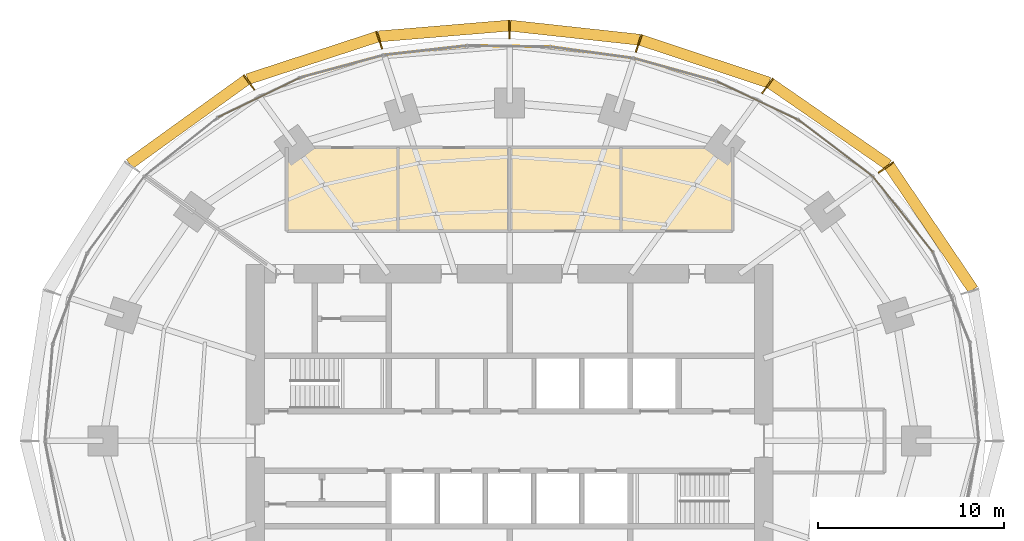
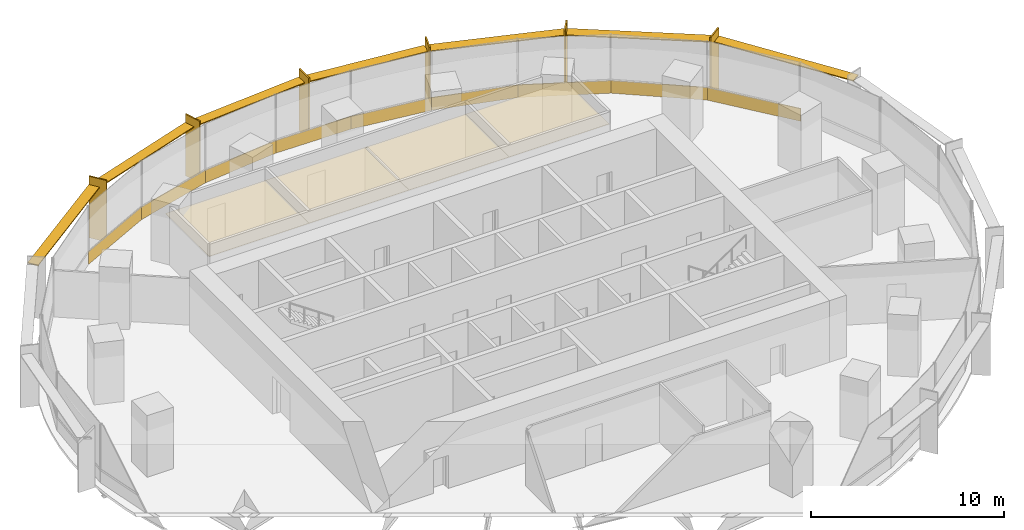
# One storey, part 14 of 14: 13 coverings, 13 shading devices.
"""IFC4 building model written with IfcOpenShell, lengths in metres."""

from ifc_helpers import new_model, si_unit, direction, frame, origin, origin_2d, place, context, subcontext, project, spatial, polyline, rectangle, outline, extrude, material, layer, layer_set, type_object, element, save


model = new_model("IFC4")

# Units and contexts
model_context = context("Model", 3, precision=1e-05, world=origin(), true_north=direction((0.0, 1.0)))
body_context = subcontext(model_context, "Body", "Model", "MODEL_VIEW")
ifc_project = project(units=[si_unit("LENGTHUNIT", "METRE"), si_unit("AREAUNIT", "SQUARE_METRE"), si_unit("VOLUMEUNIT", "CUBIC_METRE"), si_unit("PLANEANGLEUNIT", "RADIAN"), si_unit("MASSUNIT", "GRAM", prefix="KILO")], contexts=[model_context])

# Site, building, storey
site_placement = place(None, origin())
site = spatial("IfcSite", under=ifc_project, at=site_placement, CompositionType="ELEMENT")
building_placement = place(site_placement, origin())
building = spatial("IfcBuilding", under=site, at=building_placement, Name="Marramba Exchange Tower", CompositionType="ELEMENT")
storey_placement = place(building_placement, frame((0.0, 0.0, 154.800048828125)))
storey = spatial("IfcBuildingStorey", under=building, at=storey_placement, Name="L37", CompositionType="ELEMENT", Elevation=154.800048828125)

# Shading devices
ifc_material_1 = material(Name="Aluminium blade, timber-look bronze finish", Category="wood")
ifc_layer_1 = layer(ifc_material_1, 0.080078125)
ifc_layer_set_1 = layer_set([ifc_layer_1], Name="Floor-edge blade 1000x80")
shading_device_type_1 = type_object("IfcShadingDeviceType", Name="Floor-edge blade 1000x80", PredefinedType="USERDEFINED", material=ifc_layer_set_1)
for number, where, z_axis, x_axis, name in (
    (1, (20.27392578125, 14.72998046875, -0.159912109375), (0.0, 0.0, 1.0), (0.809016994375, 0.587785252292, 0.0), "Floor-edge blade FB1 L37 TC03"),
    (2, (13.8955078125, 19.12548828125, -0.159912109375), (0.0, 0.0, 1.0), (0.587785252292, 0.809016994375, 0.0), "Floor-edge blade FB1 L37 TC04"),
    (3, (6.958984375, 21.41748046875, -0.159912109375), (0.0, 0.0, 1.0), (0.309016994375, 0.951056516295, 0.0), "Floor-edge blade FB1 L37 TC05"),
    (4, (0.0, 22.173095703125, -0.159912109375), (0.0, 0.0, 1.0), (0.0, 1.0, 0.0), "Floor-edge blade FB1 L37 TC06"),
    (5, (-7.016845703125, 21.595703125, -0.159912109375), (0.0, 0.0, 1.0), (-0.309016994375, 0.951056516295, 0.0), "Floor-edge blade FB1 L37 TC07"),
    (6, (-14.029296875, 19.3095703125, -0.159912109375), (0.0, 0.0, 1.0), (-0.587785252292, 0.809016994375, 0.0), "Floor-edge blade FB1 L37 TC08"),
):
    element("IfcShadingDevice", number, at=place(storey_placement, frame(where, z_axis=z_axis, x_axis=x_axis)), inside=storey, type_object=shading_device_type_1, Name=name, ObjectType="FIN", PredefinedType="USERDEFINED", context=body_context, shape_type="SweptSolid", body=[
        extrude(rectangle(XDim=1.0, YDim=0.080078125, at=origin_2d()), origin(), (0.0, 0.0, 1.0), 3.89990234375),
    ])
ifc_material_2 = material(Name="Aluminium sunshade, bronze anodised", Category="aluminium")
ifc_layer_2 = layer(ifc_material_2, 0.06005859375)
ifc_layer_set_2 = layer_set([ifc_layer_2], Name="SUNSHADE blade 600x60")
shading_device_type_2 = type_object("IfcShadingDeviceType", Name="SUNSHADE blade 600x60", PredefinedType="USERDEFINED", material=ifc_layer_set_2)
shading_device_1_placement = place(storey_placement, frame((22.712158203125, 11.4833984375, 3.159912109375), z_axis=(0.0, 0.0, 1.0), x_axis=(-0.560441804861, 0.828193807852, 0.0)))
element("IfcShadingDevice", 7, at=shading_device_1_placement, inside=storey, type_object=shading_device_type_2, Name="Sunshade SS1 L37 bay 02", ObjectType="SUNSHADE", PredefinedType="USERDEFINED", context=body_context, shape_type="SweptSolid", body=[
    extrude(rectangle(XDim=8.0439453125, YDim=0.60009765625, at=origin_2d()), origin(), (0.0, 0.0, 1.0), 0.06005859375),
])
shading_device_2_placement = place(storey_placement, frame((17.224365234375, 17.0673828125, 3.159912109375), z_axis=(0.0, 0.0, 1.0), x_axis=(-0.822589509071, 0.568635647464, 0.0)))
element("IfcShadingDevice", 8, at=shading_device_2_placement, inside=storey, type_object=shading_device_type_2, Name="Sunshade SS1 L37 bay 03", ObjectType="SUNSHADE", PredefinedType="USERDEFINED", context=body_context, shape_type="SweptSolid", body=[
    extrude(rectangle(XDim=7.72802734375, YDim=0.60009765625, at=origin_2d()), origin(), (0.0, 0.0, 1.0), 0.06005859375),
])
shading_device_3_placement = place(storey_placement, frame((10.516845703125, 20.447509765625, 3.159912109375), z_axis=(0.0, 0.0, 1.0), x_axis=(-0.949101076178, 0.314971660944, 0.0)))
element("IfcShadingDevice", 9, at=shading_device_3_placement, inside=storey, type_object=shading_device_type_2, Name="Sunshade SS1 L37 bay 04", ObjectType="SUNSHADE", PredefinedType="USERDEFINED", context=body_context, shape_type="SweptSolid", body=[
    extrude(rectangle(XDim=7.287353515625, YDim=0.60009765625, at=origin_2d()), origin(), (0.0, 0.0, 1.0), 0.06005859375),
])
shading_device_4_placement = place(storey_placement, frame((3.510498046875, 21.990478515625, 3.159912109375), z_axis=(0.0, 0.0, 1.0), x_axis=(-0.994111392801, 0.108362995081, 0.0)))
element("IfcShadingDevice", 10, at=shading_device_4_placement, inside=storey, type_object=shading_device_type_2, Name="Sunshade SS1 L37 bay 05", ObjectType="SUNSHADE", PredefinedType="USERDEFINED", context=body_context, shape_type="SweptSolid", body=[
    extrude(rectangle(XDim=6.982421875, YDim=0.60009765625, at=origin_2d()), origin(), (0.0, 0.0, 1.0), 0.06005859375),
])
shading_device_5_placement = place(storey_placement, frame((-3.539306640625, 22.07958984375, 3.159912109375), z_axis=(0.0, 0.0, 1.0), x_axis=(-0.996577838412, -0.08265961521, 0.0)))
element("IfcShadingDevice", 11, at=shading_device_5_placement, inside=storey, type_object=shading_device_type_2, Name="Sunshade SS1 L37 bay 06", ObjectType="SUNSHADE", PredefinedType="USERDEFINED", context=body_context, shape_type="SweptSolid", body=[
    extrude(rectangle(XDim=7.02294921875, YDim=0.60009765625, at=origin_2d()), origin(), (0.0, 0.0, 1.0), 0.06005859375),
])
shading_device_6_placement = place(storey_placement, frame((-10.61279296875, 20.628662109375, 3.159912109375), z_axis=(0.0, 0.0, 1.0), x_axis=(-0.950345637432, -0.311196351865, 0.0)))
element("IfcShadingDevice", 12, at=shading_device_6_placement, inside=storey, type_object=shading_device_type_2, Name="Sunshade SS1 L37 bay 07", ObjectType="SUNSHADE", PredefinedType="USERDEFINED", context=body_context, shape_type="SweptSolid", body=[
    extrude(rectangle(XDim=7.357421875, YDim=0.60009765625, at=origin_2d()), origin(), (0.0, 0.0, 1.0), 0.06005859375),
])
shading_device_7_placement = place(storey_placement, frame((-17.322509765625, 17.18212890625, 3.159912109375), z_axis=(0.0, 0.0, 1.0), x_axis=(-0.811199164202, -0.584769968448, 0.0)))
element("IfcShadingDevice", 13, at=shading_device_7_placement, inside=storey, type_object=shading_device_type_2, Name="Sunshade SS1 L37 bay 08", ObjectType="SUNSHADE", PredefinedType="USERDEFINED", context=body_context, shape_type="SweptSolid", body=[
    extrude(rectangle(XDim=7.749755859375, YDim=0.60009765625, at=origin_2d()), origin(), (0.0, 0.0, 1.0), 0.06005859375),
])

# Coverings
ifc_material_3 = material(Name="Aluminium spandrel panel, bronze anodised, insulated", Category="aluminium")
ifc_layer_3 = layer(ifc_material_3, 0.050048828125)
ifc_layer_set_3 = layer_set([ifc_layer_3], Name="Spandrel panel 800")
covering_type_1 = type_object("IfcCoveringType", Name="Spandrel panel 800", PredefinedType="CLADDING", material=ifc_layer_set_3)
covering_1_placement = place(storey_placement, frame((21.20068359375, 12.194091796875, 0.0), z_axis=(0.0, 0.0, 1.0), x_axis=(-0.621311998758, 0.783563271344, 0.0)))
element("IfcCovering", 14, at=covering_1_placement, inside=storey, type_object=covering_type_1, Name="Spandrel panel SP1 L37 F03", PredefinedType="CLADDING", context=body_context, shape_type="SweptSolid", body=[
    extrude(rectangle(XDim=5.197021484375, YDim=0.050048828125, at=origin_2d()), origin(), (0.0, 0.0, 1.0), 0.800048828125),
])
covering_2_placement = place(storey_placement, frame((17.576171875, 15.759033203125, 0.0), z_axis=(0.0, 0.0, 1.0), x_axis=(-0.795971745176, 0.605333776426, 0.0)))
element("IfcCovering", 15, at=covering_2_placement, inside=storey, type_object=covering_type_1, Name="Spandrel panel SP1 L37 F04", PredefinedType="CLADDING", context=body_context, shape_type="SweptSolid", body=[
    extrude(rectangle(XDim=5.05078125, YDim=0.050048828125, at=origin_2d()), origin(), (0.0, 0.0, 1.0), 0.800048828125),
])
covering_3_placement = place(storey_placement, frame((13.371337890625, 18.322998046875, 0.0), z_axis=(0.0, 0.0, 1.0), x_axis=(-0.904403135206, 0.426678999987, 0.0)))
element("IfcCovering", 16, at=covering_3_placement, inside=storey, type_object=covering_type_1, Name="Spandrel panel SP1 L37 F05", PredefinedType="CLADDING", context=body_context, shape_type="SweptSolid", body=[
    extrude(rectangle(XDim=4.853271484375, YDim=0.050048828125, at=origin_2d()), origin(), (0.0, 0.0, 1.0), 0.800048828125),
])
covering_4_placement = place(storey_placement, frame((8.9365234375, 19.98388671875, 0.0), z_axis=(0.0, 0.0, 1.0), x_axis=(-0.963177847397, 0.268865085655, 0.0)))
element("IfcCovering", 17, at=covering_4_placement, inside=storey, type_object=covering_type_1, Name="Spandrel panel SP1 L37 F06", PredefinedType="CLADDING", context=body_context, shape_type="SweptSolid", body=[
    extrude(rectangle(XDim=4.651611328125, YDim=0.050048828125, at=origin_2d()), origin(), (0.0, 0.0, 1.0), 0.800048828125),
])
covering_5_placement = place(storey_placement, frame((4.46337890625, 20.915283203125, 0.0), z_axis=(0.0, 0.0, 1.0), x_axis=(-0.990738214019, 0.135785828725, 0.0)))
element("IfcCovering", 18, at=covering_5_placement, inside=storey, type_object=covering_type_1, Name="Spandrel panel SP1 L37 F07", PredefinedType="CLADDING", context=body_context, shape_type="SweptSolid", body=[
    extrude(rectangle(XDim=4.507568359375, YDim=0.050048828125, at=origin_2d()), origin(), (0.0, 0.0, 1.0), 0.800048828125),
])
covering_6_placement = place(storey_placement, frame((-0.003662109375, 21.25634765625, 0.0), z_axis=(0.0, 0.0, 1.0), x_axis=(-0.999875870008, 0.015755779107, 0.0)))
element("IfcCovering", 19, at=covering_6_placement, inside=storey, type_object=covering_type_1, Name="Spandrel panel SP1 L37 F08", PredefinedType="CLADDING", context=body_context, shape_type="SweptSolid", body=[
    extrude(rectangle(XDim=4.46875, YDim=0.050048828125, at=origin_2d()), origin(), (0.0, 0.0, 1.0), 0.800048828125),
])
covering_7_placement = place(storey_placement, frame((-4.49609375, 21.03955078125, 0.0), z_axis=(0.0, 0.0, 1.0), x_axis=(-0.993823395975, -0.110973229261, 0.0)))
element("IfcCovering", 20, at=covering_7_placement, inside=storey, type_object=covering_type_1, Name="Spandrel panel SP1 L37 F09", PredefinedType="CLADDING", context=body_context, shape_type="SweptSolid", body=[
    extrude(rectangle(XDim=4.54443359375, YDim=0.050048828125, at=origin_2d()), origin(), (0.0, 0.0, 1.0), 0.800048828125),
])
covering_8_placement = place(storey_placement, frame((-9.0244140625, 20.17529296875, 0.0), z_axis=(0.0, 0.0, 1.0), x_axis=(-0.965522049344, -0.26032128655, 0.0)))
element("IfcCovering", 21, at=covering_8_placement, inside=storey, type_object=covering_type_1, Name="Spandrel panel SP1 L37 F10", PredefinedType="CLADDING", context=body_context, shape_type="SweptSolid", body=[
    extrude(rectangle(XDim=4.70263671875, YDim=0.050048828125, at=origin_2d()), origin(), (0.0, 0.0, 1.0), 0.800048828125),
])
covering_9_placement = place(storey_placement, frame((-13.49609375, 18.498291015625, 0.0), z_axis=(0.0, 0.0, 1.0), x_axis=(-0.900223736484, -0.435427633794, 0.0)))
element("IfcCovering", 22, at=covering_9_placement, inside=storey, type_object=covering_type_1, Name="Spandrel panel SP1 L37 F11", PredefinedType="CLADDING", context=body_context, shape_type="SweptSolid", body=[
    extrude(rectangle(XDim=4.890625, YDim=0.050048828125, at=origin_2d()), origin(), (0.0, 0.0, 1.0), 0.800048828125),
])
ifc_material_4 = material(Name="Mineral fibre ceiling tiles", Category="gypsum")
ifc_layer_4 = layer(ifc_material_4, 0.02001953125)
ifc_layer_set_4 = layer_set([ifc_layer_4], Name="Suspended ceiling 20")
covering_type_2 = type_object("IfcCoveringType", Name="Suspended ceiling 20", PredefinedType="CEILING", material=ifc_layer_set_4)
covering_10_placement = place(storey_placement, frame((0.0, 0.0, 2.89990234375)))
element("IfcCovering", 23, at=covering_10_placement, inside=storey, type_object=covering_type_2, Name="Ceiling CL1 L37 Meeting Room 1", PredefinedType="CEILING", context=body_context, shape_type="SweptSolid", body=[
    extrude(outline(polyline([(-6.0, 11.300048828125), (-12.0, 11.300048828125), (-12.0, 15.800048828125), (-6.0, 15.800048828125), (-6.0, 11.300048828125)])), origin(), (0.0, 0.0, 1.0), 0.02001953125),
])
covering_11_placement = place(storey_placement, frame((0.0, 0.0, 2.89990234375)))
element("IfcCovering", 24, at=covering_11_placement, inside=storey, type_object=covering_type_2, Name="Ceiling CL1 L37 Meeting Room 2", PredefinedType="CEILING", context=body_context, shape_type="SweptSolid", body=[
    extrude(outline(polyline([(0.0, 11.300048828125), (-6.0, 11.300048828125), (-6.0, 15.800048828125), (0.0, 15.800048828125), (0.0, 11.300048828125)])), origin(), (0.0, 0.0, 1.0), 0.02001953125),
])
covering_12_placement = place(storey_placement, frame((0.0, 0.0, 2.89990234375)))
element("IfcCovering", 25, at=covering_12_placement, inside=storey, type_object=covering_type_2, Name="Ceiling CL1 L37 Meeting Room 3", PredefinedType="CEILING", context=body_context, shape_type="SweptSolid", body=[
    extrude(outline(polyline([(6.0, 11.300048828125), (0.0, 11.300048828125), (0.0, 15.800048828125), (6.0, 15.800048828125), (6.0, 11.300048828125)])), origin(), (0.0, 0.0, 1.0), 0.02001953125),
])
covering_13_placement = place(storey_placement, frame((0.0, 0.0, 2.89990234375)))
element("IfcCovering", 26, at=covering_13_placement, inside=storey, type_object=covering_type_2, Name="Ceiling CL1 L37 Meeting Room 4", PredefinedType="CEILING", context=body_context, shape_type="SweptSolid", body=[
    extrude(outline(polyline([(12.0, 11.300048828125), (6.0, 11.300048828125), (6.0, 15.800048828125), (12.0, 15.800048828125), (12.0, 11.300048828125)])), origin(), (0.0, 0.0, 1.0), 0.02001953125),
])

save(model, "model.ifc")
